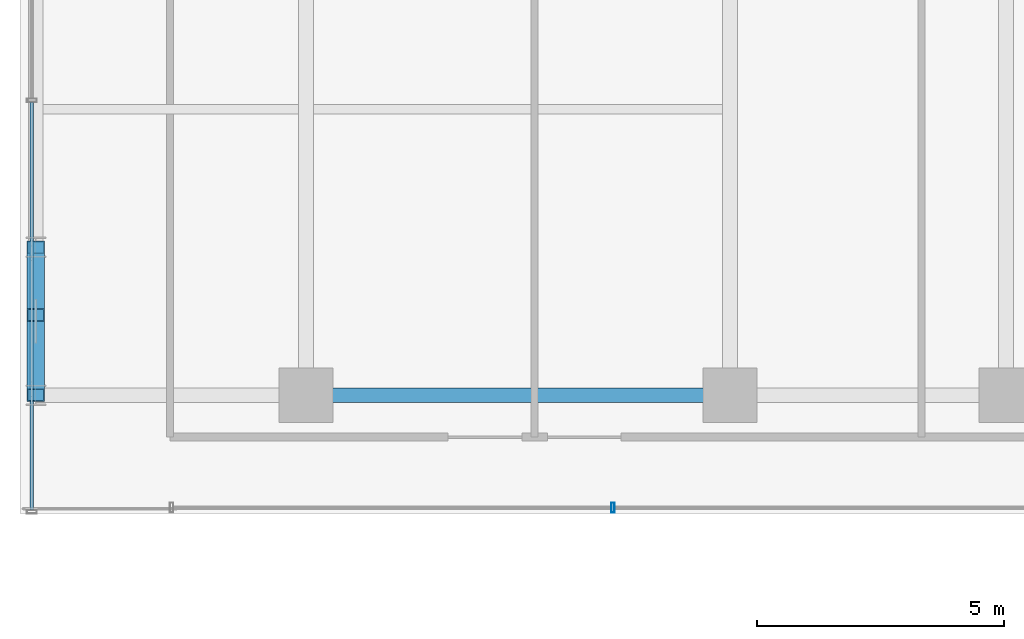
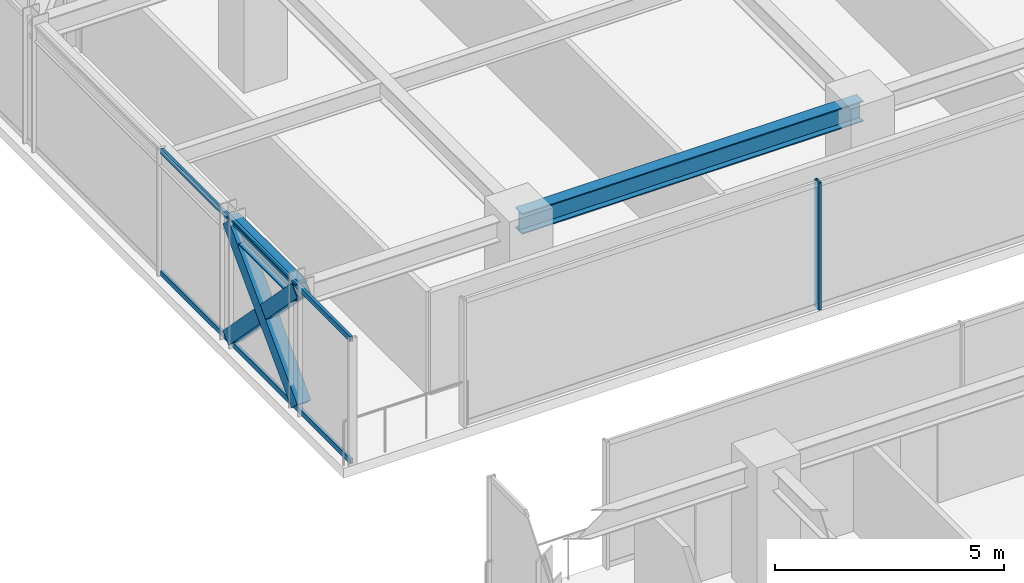
# One storey, part 9 of 41: 6 members, 2 beams, 2 elements without a shape of their own.
"""IFC4 building model written with IfcOpenShell, lengths in metres."""

from ifc_helpers import new_model, si_unit, direction, frame, origin, origin_2d, place, context, subcontext, project, spatial, hollow_rectangle, i_section, extrude, source, transform, mapped, material, material_profile, profile_set, type_object, element, aggregate, save


model = new_model("IFC4")

# Units and contexts
model_context = context("Model", 3, precision=1e-05, world=origin(), true_north=direction((0.0, 1.0)))
body_context = subcontext(model_context, "Body", "Model", "MODEL_VIEW")
ifc_project = project(units=[si_unit("LENGTHUNIT", "METRE"), si_unit("AREAUNIT", "SQUARE_METRE"), si_unit("VOLUMEUNIT", "CUBIC_METRE"), si_unit("PLANEANGLEUNIT", "RADIAN"), si_unit("MASSUNIT", "GRAM", prefix="KILO")], contexts=[model_context])

# Site, building, storey
site_placement = place(None, origin())
site = spatial("IfcSite", under=ifc_project, at=site_placement, CompositionType="ELEMENT")
building_placement = place(site_placement, origin())
building = spatial("IfcBuilding", under=site, at=building_placement, Name="Nahalor Promenade Grand Hotel", CompositionType="ELEMENT")
storey_placement = place(building_placement, frame((0.0, 0.0, 159.949951171875)))
storey = spatial("IfcBuildingStorey", under=building, at=storey_placement, Name="L40", CompositionType="ELEMENT", Elevation=159.949951171875)

# Beams
ifc_material_1 = material(Name="Steel S355JR", Category="steel")
ifc_material_profile_1 = material_profile(ifc_material_1, i_section(OverallWidth=0.3, OverallDepth=0.55, WebThickness=0.015, FlangeThickness=0.029, at=origin_2d()), Name="HEB 550")
ifc_profile_set_1 = profile_set([ifc_material_profile_1], Name="Steel S355JR")
beam_type_1 = type_object("IfcBeamType", Name="Beam-Girder-HEB550", PredefinedType="BEAM", material=ifc_profile_set_1)
shared_shape_1 = source(origin(), body_context, "Body", "SweptSolid", [
    extrude(i_section(OverallWidth=0.3, OverallDepth=0.55, WebThickness=0.015, FlangeThickness=0.029, at=origin_2d()), origin(), (0.0, 0.0, 1.0), 8.60009765625),
])
beam_1_placement = place(storey_placement, frame((-17.0, 5.39990234375, 3.114990234375), z_axis=(1.0, 0.0, 0.0), x_axis=(0.0, 1.0, 0.0)))
element("IfcBeam", 1, at=beam_1_placement, inside=storey, type_object=beam_type_1, Name="BM-L40-GX-2-1", PredefinedType="BEAM", context=body_context, shape_type="MappedRepresentation", body=[
    mapped(shared_shape_1, transform((0.0, 0.0, 0.0), scale=1.0)),
])
ifc_material_profile_2 = material_profile(ifc_material_1, i_section(OverallWidth=0.3, OverallDepth=0.45, WebThickness=0.014, FlangeThickness=0.026, at=origin_2d()), Name="HEB 450")
ifc_profile_set_2 = profile_set([ifc_material_profile_2], Name="Steel S355JR")
beam_type_2 = type_object("IfcBeamType", Name="Beam-Spandrel-HEB450", PredefinedType="SPANDREL", material=ifc_profile_set_2)
shared_shape_2 = source(origin(), body_context, "Body", "SweptSolid", [
    extrude(i_section(OverallWidth=0.3, OverallDepth=0.45, WebThickness=0.014, FlangeThickness=0.026, at=origin_2d()), origin(), (0.0, 0.0, 1.0), 3.0),
])
beam_2_placement = place(storey_placement, frame((-22.47998046875, 5.39990234375, 3.1650390625), z_axis=(0.0, 1.0, 0.0), x_axis=(-1.0, 0.0, 0.0)))
element("IfcBeam", 2, at=beam_2_placement, inside=storey, type_object=beam_type_2, Name="BM-L40-SP-W-3", PredefinedType="SPANDREL", context=body_context, shape_type="MappedRepresentation", body=[
    mapped(shared_shape_2, transform((0.0, 0.0, 0.0), scale=1.0)),
])

# Members
ifc_material_profile_3 = material_profile(ifc_material_1, hollow_rectangle(XDim=0.35, YDim=0.35, WallThickness=0.02, at=origin_2d()), Name="SHS 350x350x20")
ifc_profile_set_3 = profile_set([ifc_material_profile_3], Name="Steel S355JR")
member_type_1 = type_object("IfcMemberType", Name="Mem-VoidBrace-SHS350", PredefinedType="BRACE", material=ifc_profile_set_3)
shared_shape_3 = source(origin(), body_context, "Body", "SweptSolid", [
    extrude(hollow_rectangle(XDim=0.35, YDim=0.35, WallThickness=0.02, at=origin_2d()), origin(), (0.0, 0.0, 1.0), 4.306640625),
])
member_1_placement = place(storey_placement, frame((-22.47998046875, 5.39990234375, 0.150146484375), z_axis=(0.0, 0.696598997639, 0.717460686371), x_axis=(-1.0, 0.0, 0.0)))
element("IfcMember", 3, at=member_1_placement, inside=storey, type_object=member_type_1, Name="EXO-L40-VX1-W1", PredefinedType="BRACE", context=body_context, shape_type="MappedRepresentation", body=[
    mapped(shared_shape_3, transform((0.0, 0.0, 0.0), scale=1.0)),
])
shared_shape_4 = source(origin(), body_context, "Body", "SweptSolid", [
    extrude(hollow_rectangle(XDim=0.35, YDim=0.35, WallThickness=0.02, at=origin_2d()), origin(), (0.0, 0.0, 1.0), 1.96630859375),
])
member_2_placement = place(storey_placement, frame((-22.47998046875, 6.769775390625, 1.829345703125), z_axis=(0.0, -0.696663391113, 0.71739815966), x_axis=(1.0, 0.0, 0.0)))
element("IfcMember", 4, at=member_2_placement, inside=storey, type_object=member_type_1, Name="EXO-L40-VX2-W1B", PredefinedType="BRACE", context=body_context, shape_type="MappedRepresentation", body=[
    mapped(shared_shape_4, transform((0.0, 0.0, 0.0), scale=1.0)),
])
shared_shape_5 = source(origin(), body_context, "Body", "SweptSolid", [
    extrude(hollow_rectangle(XDim=0.35, YDim=0.35, WallThickness=0.02, at=origin_2d()), origin(), (0.0, 0.0, 1.0), 1.966064453125),
])
member_3_placement = place(storey_placement, frame((-22.47998046875, 8.39990234375, 0.150146484375), z_axis=(0.0, -0.696599482471, 0.717460215636), x_axis=(1.0, 0.0, 0.0)))
element("IfcMember", 5, at=member_3_placement, inside=storey, type_object=member_type_1, Name="EXO-L40-VX2-W1A", PredefinedType="BRACE", context=body_context, shape_type="MappedRepresentation", body=[
    mapped(shared_shape_5, transform((0.0, 0.0, 0.0), scale=1.0)),
])

# Curtain wall, member
ifc_material_2 = material(Name="Anodised Bronze Aluminium EN AW-6063 T6", Category="aluminium")
curtain_wall_type = type_object("IfcCurtainWallType", Name="CW3 Elliptical-Void Collar Unitised Curtain Wall", PredefinedType="USERDEFINED", material=ifc_material_2)
curtain_wall_1_placement = place(storey_placement, origin())
curtain_wall_1 = element("IfcCurtainWall", 6, at=curtain_wall_1_placement, inside=storey, type_object=curtain_wall_type, Name="L40 Curtain Wall CW-L40-VOID-WN1", ObjectType="UNITISED_CURTAIN_WALL", PredefinedType="USERDEFINED")
ifc_material_profile_4 = material_profile(ifc_material_2, hollow_rectangle(XDim=0.07, YDim=0.2, WallThickness=0.005, at=origin_2d()), Name="CWM 70x200x5")
ifc_profile_set_4 = profile_set([ifc_material_profile_4], Name="Anodised Bronze Aluminium EN AW-6063 T6")
member_type_2 = type_object("IfcMemberType", Name="CWM3 Void Collar Mullion 70x200", PredefinedType="MULLION", material=ifc_profile_set_4)
shared_shape_6 = source(origin(), body_context, "Body", "SweptSolid", [
    extrude(hollow_rectangle(XDim=0.07, YDim=0.2, WallThickness=0.005, at=origin_2d()), origin(), (0.0, 0.0, 1.0), 3.39013671875),
])
member_4_placement = place(storey_placement, frame((-10.7734375, 3.118896484375, 0.0), z_axis=(0.0, 0.0, 1.0), x_axis=(1.0, 0.0, 0.0)))
member_4 = element("IfcMember", 7, at=member_4_placement, type_object=member_type_2, Name="CW-L40-VOID-WN1 Mullion 1", PredefinedType="MULLION", context=body_context, shape_type="MappedRepresentation", body=[
    mapped(shared_shape_6, transform((0.0, 0.0, 0.0), scale=1.0)),
])
aggregate(curtain_wall_1, [member_4])

# Curtain wall, members
curtain_wall_2_placement = place(storey_placement, origin())
curtain_wall_2 = element("IfcCurtainWall", 8, at=curtain_wall_2_placement, inside=storey, type_object=curtain_wall_type, Name="L40 Curtain Wall CW-L40-W-2", ObjectType="UNITISED_CURTAIN_WALL", PredefinedType="USERDEFINED")
ifc_material_profile_5 = material_profile(ifc_material_2, hollow_rectangle(XDim=0.07, YDim=0.14, WallThickness=0.004, at=origin_2d()), Name="CWT 70x140x4")
ifc_profile_set_5 = profile_set([ifc_material_profile_5], Name="Anodised Bronze Aluminium EN AW-6063 T6")
member_type_3 = type_object("IfcMemberType", Name="CWT3 Void Collar Transom 70x140", PredefinedType="USERDEFINED", material=ifc_profile_set_5)
shared_shape_7 = source(origin(), body_context, "Body", "SweptSolid", [
    extrude(hollow_rectangle(XDim=0.07, YDim=0.14, WallThickness=0.004, at=origin_2d()), origin(), (0.0, 0.0, 1.0), 8.275390625),
])
member_5_placement = place(storey_placement, frame((-22.56005859375, 3.069091796875, 0.070068359375), z_axis=(0.0, 1.0, 0.0), x_axis=(-1.0, 0.0, 0.0)))
member_5 = element("IfcMember", 9, at=member_5_placement, type_object=member_type_3, Name="CW-L40-W-2 Transom 0-0", ObjectType="TRANSOM", PredefinedType="USERDEFINED", context=body_context, shape_type="MappedRepresentation", body=[
    mapped(shared_shape_7, transform((0.0, 0.0, 0.0), scale=1.0)),
])
member_6_placement = place(storey_placement, frame((-22.56005859375, 3.069091796875, 3.320068359375), z_axis=(0.0, 1.0, 0.0), x_axis=(-1.0, 0.0, 0.0)))
member_6 = element("IfcMember", 10, at=member_6_placement, type_object=member_type_3, Name="CW-L40-W-2 Transom 0-1", ObjectType="TRANSOM", PredefinedType="USERDEFINED", context=body_context, shape_type="MappedRepresentation", body=[
    mapped(shared_shape_7, transform((0.0, 0.0, 0.0), scale=1.0)),
])
aggregate(curtain_wall_2, [member_5, member_6])

save(model, "model.ifc")
